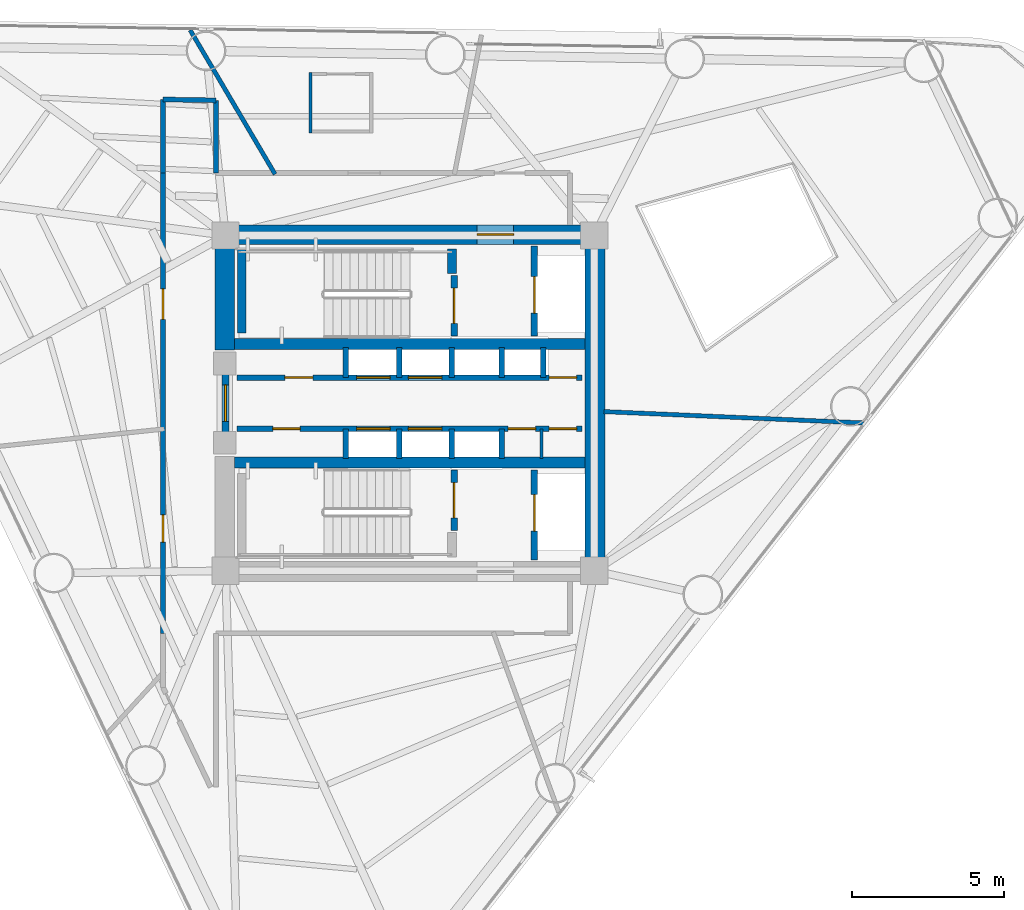
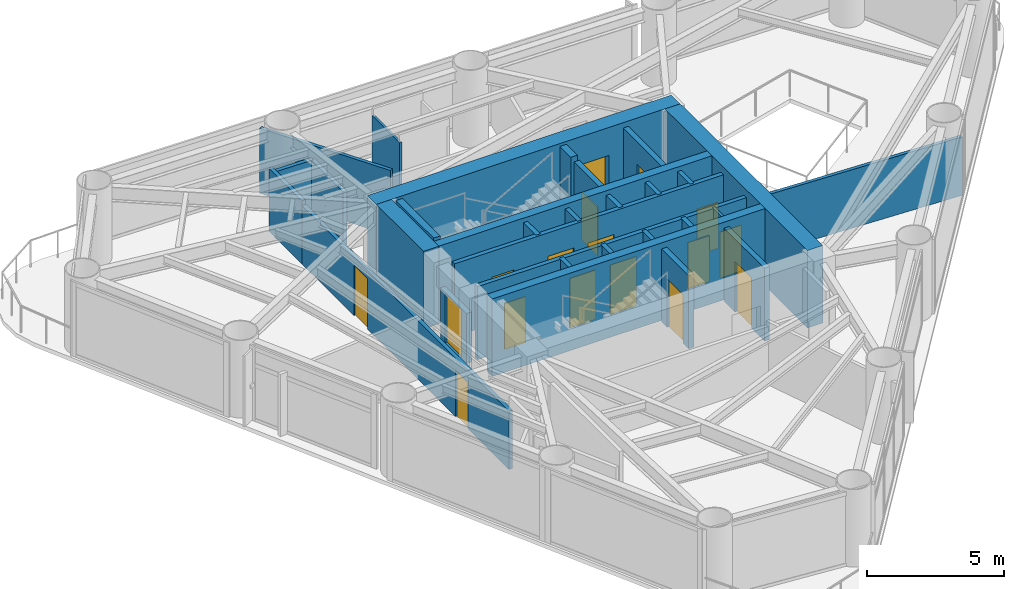
# One storey, part 6 of 10: 31 walls, 17 doors, 17 openings.
"""IFC4 building model written with IfcOpenShell, lengths in metres."""

from ifc_helpers import new_model, si_unit, direction, frame, frame_2d, origin, place, context, subcontext, project, spatial, rectangle, extrude, material, layer, layer_set, type_object, element, fill, save


model = new_model("IFC4")

# Units and contexts
model_context = context("Model", 3, precision=1e-05, world=origin(), true_north=direction((0.0, 1.0)))
body_context = subcontext(model_context, "Body", "Model", "MODEL_VIEW")
ifc_project = project(units=[si_unit("LENGTHUNIT", "METRE"), si_unit("AREAUNIT", "SQUARE_METRE"), si_unit("VOLUMEUNIT", "CUBIC_METRE"), si_unit("PLANEANGLEUNIT", "RADIAN"), si_unit("MASSUNIT", "GRAM", prefix="KILO")], contexts=[model_context])

# Site, building, storey
site_placement = place(None, origin())
site = spatial("IfcSite", under=ifc_project, at=site_placement, CompositionType="ELEMENT")
building_placement = place(site_placement, origin())
building = spatial("IfcBuilding", under=site, at=building_placement, Name="Yunling Apex Tower", CompositionType="ELEMENT")
storey_placement = place(building_placement, frame((0.0, 0.0, 132.949951171875)))
storey = spatial("IfcBuildingStorey", under=building, at=storey_placement, Name="L32", CompositionType="ELEMENT", Elevation=132.949951171875)

# Wall, opening, door
ifc_material_1 = material(Name="Concrete C50", Category="concrete")
ifc_layer_1 = layer(ifc_material_1, 0.64990234375)
ifc_layer_set_1 = layer_set([ifc_layer_1], Name="Concrete C50")
wall_type_1 = type_object("IfcWallType", Name="WL-COR-2", PredefinedType="SHEAR", material=ifc_layer_set_1)
wall_1_placement = place(storey_placement, frame((-6.39990234375, 5.52490234375, 0.0), z_axis=(0.0, 0.0, 1.0), x_axis=(1.0, 0.0, 0.0)))
wall_1 = element("IfcWall", 1, at=wall_1_placement, inside=storey, type_object=wall_type_1, Name="L32 North Core Shear Wall", PredefinedType="SHEAR", context=body_context, shape_type="SweptSolid", body=[
    extrude(rectangle(XDim=12.7998046875, YDim=0.64990234375, at=frame_2d((6.39990234375, 0.0))), origin(), (0.0, 0.0, 1.0), 3.449951171875),
])
opening_1_placement = place(wall_1_placement, frame((8.60009765625, 0.0, 0.0)))
opening_1 = element("IfcOpeningElement", 2, at=opening_1_placement, cuts=wall_1, Name="Opening DR-FFL-1", PredefinedType="OPENING", context=body_context, shape_type="SweptSolid", body=[
    extrude(rectangle(XDim=1.199951171875, YDim=2.199951171875, at=frame_2d((0.60009765625, 1.10009765625))), frame((0.0, 0.3349609375, 0.0), z_axis=(0.0, -1.0, 0.0), x_axis=(1.0, 0.0, 0.0)), (0.0, 0.0, 1.0), 0.669921875),
])
ifc_material_2 = material(Name="Steel Q355B", Category="steel")
door_type_1 = type_object("IfcDoorType", Name="DR-FFL-1", OperationType="NOTDEFINED", PredefinedType="DOOR", material=ifc_material_2)
door_1_placement = place(opening_1_placement, origin())
door_1 = element("IfcDoor", 3, at=door_1_placement, inside=storey, type_object=door_type_1, Name="L32 North Firefighting Lobby Door", OperationType="SINGLE_SWING_LEFT", OverallHeight=2.199951171875, OverallWidth=1.199951171875, PredefinedType="DOOR", context=body_context, shape_type="SweptSolid", body=[
    extrude(rectangle(XDim=1.199951171875, YDim=2.199951171875, at=frame_2d((0.60009765625, 1.10009765625))), frame((0.0, 0.02490234375, 0.0), z_axis=(0.0, -1.0, 0.0), x_axis=(1.0, 0.0, 0.0)), (0.0, 0.0, 1.0), 0.050048828125),
])
fill(opening_1, door_1)

# Walls
wall_2_placement = place(storey_placement, frame((6.074951171875, -5.199951171875, 0.0), z_axis=(0.0, 0.0, 1.0), x_axis=(0.0, 1.0, 0.0)))
element("IfcWall", 4, at=wall_2_placement, inside=storey, type_object=wall_type_1, Name="L32 East Core Shear Wall", PredefinedType="SHEAR", context=body_context, shape_type="SweptSolid", body=[
    extrude(rectangle(XDim=10.39990234375, YDim=0.64990234375, at=frame_2d((5.199951171875, 0.0))), origin(), (0.0, 0.0, 1.0), 3.449951171875),
])
wall_3_placement = place(storey_placement, frame((-6.074951171875, 1.75, 0.0), z_axis=(0.0, 0.0, 1.0), x_axis=(0.0, 1.0, 0.0)))
element("IfcWall", 5, at=wall_3_placement, inside=storey, type_object=wall_type_1, Name="L32 West-North Core Shear Wall", PredefinedType="SHEAR", context=body_context, shape_type="SweptSolid", body=[
    extrude(rectangle(XDim=3.449951171875, YDim=0.64990234375, at=frame_2d((1.72509765625, 0.0))), origin(), (0.0, 0.0, 1.0), 3.449951171875),
])
ifc_material_3 = material(Name="Concrete C40", Category="concrete")
ifc_layer_2 = layer(ifc_material_3, 0.360107421875)
ifc_layer_set_2 = layer_set([ifc_layer_2], Name="Concrete C40")
wall_type_2 = type_object("IfcWallType", Name="WL-COR-4", PredefinedType="SHEAR", material=ifc_layer_set_2)
for number, where, z_axis, x_axis, name in (
    (6, (-5.75, 1.93994140625, 0.0), (0.0, 0.0, 1.0), (1.0, 0.0, 0.0), "L32 North Internal Core Shear Wall"),
    (7, (-5.75, -1.93994140625, 0.0), (0.0, 0.0, 1.0), (1.0, 0.0, 0.0), "L32 South Internal Core Shear Wall"),
):
    element("IfcWall", number, at=place(storey_placement, frame(where, z_axis=z_axis, x_axis=x_axis)), inside=storey, type_object=wall_type_2, Name=name, PredefinedType="SHEAR", context=body_context, shape_type="SweptSolid", body=[
        extrude(rectangle(XDim=11.5, YDim=0.360107421875, at=frame_2d((5.75, 0.0))), origin(), (0.0, 0.0, 1.0), 3.449951171875),
    ])
ifc_layer_3 = layer(ifc_material_3, 0.280029296875)
ifc_layer_set_3 = layer_set([ifc_layer_3], Name="Concrete C40")
wall_type_3 = type_object("IfcWallType", Name="WL-COR-8", PredefinedType="SHEAR", material=ifc_layer_set_3)
wall_4_placement = place(storey_placement, frame((-5.52001953125, 2.300048828125, 0.0), z_axis=(0.0, 0.0, 1.0), x_axis=(0.0, 1.0, 0.0)))
element("IfcWall", 8, at=wall_4_placement, inside=storey, type_object=wall_type_3, Name="L32 ST-1 West Landing Bearing Wall", PredefinedType="SHEAR", context=body_context, shape_type="SweptSolid", body=[
    extrude(rectangle(XDim=2.75, YDim=0.280029296875, at=frame_2d((1.375, 0.0))), origin(), (0.0, 0.0, 1.0), 3.449951171875),
])
wall_5_placement = place(storey_placement, frame((1.3798828125, 4.25, 0.0), z_axis=(0.0, 0.0, 1.0), x_axis=(0.0, 1.0, 0.0)))
element("IfcWall", 9, at=wall_5_placement, inside=storey, type_object=wall_type_3, Name="L32 ST-1 East Landing Bearing Pier", PredefinedType="SHEAR", context=body_context, shape_type="SweptSolid", body=[
    extrude(rectangle(XDim=0.800048828125, YDim=0.280029296875, at=frame_2d((0.39990234375, 0.0))), origin(), (0.0, 0.0, 1.0), 3.449951171875),
])

# Wall, openings, doors
ifc_material_4 = material(Name="Gypsum board acoustic partition")
ifc_layer_4 = layer(ifc_material_4, 0.159912109375)
ifc_layer_set_4 = layer_set([ifc_layer_4], Name="Gypsum board acoustic partition")
wall_type_4 = type_object("IfcWallType", Name="WL-PRT-1", PredefinedType="PARTITIONING", material=ifc_layer_set_4)
wall_6_placement = place(storey_placement, frame((-8.10009765625, -7.550048828125, 0.0), z_axis=(0.0, 0.0, 1.0), x_axis=(0.0, 1.0, 0.0)))
wall_6 = element("IfcWall", 10, at=wall_6_placement, inside=storey, type_object=wall_type_4, Name="WL-CORR-L32-03", PredefinedType="PARTITIONING", context=body_context, shape_type="SweptSolid", body=[
    extrude(rectangle(XDim=15.10009765625, YDim=0.159912109375, at=frame_2d((7.550048828125, 0.0))), origin(), (0.0, 0.0, 1.0), 2.60498046875),
])
opening_2_placement = place(wall_6_placement, frame((2.989013671875, 0.0, 0.0)))
opening_2 = element("IfcOpeningElement", 11, at=opening_2_placement, cuts=wall_6, Name="Opening DR-SHF-1", PredefinedType="OPENING", context=body_context, shape_type="SweptSolid", body=[
    extrude(rectangle(XDim=0.89990234375, YDim=2.050048828125, at=frame_2d((0.449951171875, 1.02490234375))), frame((0.0, 0.08984375, 0.0), z_axis=(0.0, -1.0, 0.0), x_axis=(1.0, 0.0, 0.0)), (0.0, 0.0, 1.0), 0.179931640625),
])
opening_3_placement = place(wall_6_placement, frame((10.30126953125, 0.0, 0.0)))
opening_3 = element("IfcOpeningElement", 12, at=opening_3_placement, cuts=wall_6, Name="Opening DR-OFF-1", PredefinedType="OPENING", context=body_context, shape_type="SweptSolid", body=[
    extrude(rectangle(XDim=1.0, YDim=2.25, at=frame_2d((0.5, 1.125))), frame((0.0, 0.08984375, 0.0), z_axis=(0.0, -1.0, 0.0), x_axis=(1.0, 0.0, 0.0)), (0.0, 0.0, 1.0), 0.179931640625),
])
ifc_material_5 = material(Name="Bronze anodised aluminium", Category="aluminium")
door_type_2 = type_object("IfcDoorType", Name="DR-OFF-1", OperationType="NOTDEFINED", PredefinedType="DOOR", material=ifc_material_5)
door_2_placement = place(opening_3_placement, origin())
door_2 = element("IfcDoor", 13, at=door_2_placement, inside=storey, type_object=door_type_2, Name="L32 Club Lounge Door", OperationType="SINGLE_SWING_RIGHT", OverallHeight=2.25, OverallWidth=1.0, PredefinedType="DOOR", context=body_context, shape_type="SweptSolid", body=[
    extrude(rectangle(XDim=1.0, YDim=2.25, at=frame_2d((0.5, 1.125))), frame((0.0, 0.02490234375, 0.0), z_axis=(0.0, -1.0, 0.0), x_axis=(1.0, 0.0, 0.0)), (0.0, 0.0, 1.0), 0.050048828125),
])
fill(opening_3, door_2)
door_type_3 = type_object("IfcDoorType", Name="DR-SHF-1", OperationType="NOTDEFINED", PredefinedType="DOOR", material=ifc_material_2)
door_3_placement = place(opening_2_placement, origin())
door_3 = element("IfcDoor", 14, at=door_3_placement, inside=storey, type_object=door_type_3, Name="L32 Housekeeping Room Door", OperationType="SINGLE_SWING_LEFT", OverallHeight=2.050048828125, OverallWidth=0.89990234375, PredefinedType="DOOR", context=body_context, shape_type="SweptSolid", body=[
    extrude(rectangle(XDim=0.89990234375, YDim=2.050048828125, at=frame_2d((0.449951171875, 1.02490234375))), frame((0.0, 0.02490234375, 0.0), z_axis=(0.0, -1.0, 0.0), x_axis=(1.0, 0.0, 0.0)), (0.0, 0.0, 1.0), 0.050048828125),
])
fill(opening_2, door_3)

# Walls
wall_7_placement = place(storey_placement, frame((-8.10009765625, 7.550048828125, 0.0), z_axis=(0.0, 0.0, 1.0), x_axis=(0.0, 1.0, 0.0)))
element("IfcWall", 15, at=wall_7_placement, inside=storey, type_object=wall_type_4, Name="WL-CORR-L32-04", PredefinedType="PARTITIONING", context=body_context, shape_type="SweptSolid", body=[
    extrude(rectangle(XDim=2.411865234375, YDim=0.159912109375, at=frame_2d((1.2060546875, 0.0))), origin(), (0.0, 0.0, 1.0), 2.804931640625),
])
wall_8_placement = place(storey_placement, frame((-8.10009765625, 9.9619140625, 0.0), z_axis=(0.0, 0.0, 1.0), x_axis=(0.999858281466, -0.016834992813, 0.0)))
element("IfcWall", 16, at=wall_8_placement, inside=storey, type_object=wall_type_4, Name="WL-CORR-L32-05", PredefinedType="PARTITIONING", context=body_context, shape_type="SweptSolid", body=[
    extrude(rectangle(XDim=1.740234375, YDim=0.159912109375, at=frame_2d((0.8701171875, 0.0))), origin(), (0.0, 0.0, 1.0), 2.60498046875),
])
wall_9_placement = place(storey_placement, frame((-6.360107421875, 9.9326171875, 0.0), z_axis=(0.0, 0.0, 1.0), x_axis=(0.0, -1.0, 0.0)))
element("IfcWall", 17, at=wall_9_placement, inside=storey, type_object=wall_type_4, Name="WL-CORR-L32-06", PredefinedType="PARTITIONING", context=body_context, shape_type="SweptSolid", body=[
    extrude(rectangle(XDim=2.382568359375, YDim=0.159912109375, at=frame_2d((1.19140625, 0.0))), origin(), (0.0, 0.0, 1.0), 2.60498046875),
])
ifc_layer_5 = layer(ifc_material_4, 0.139892578125)
ifc_layer_set_5 = layer_set([ifc_layer_5], Name="Gypsum board acoustic partition")
wall_type_5 = type_object("IfcWallType", Name="WL-PRT-2", PredefinedType="PARTITIONING", material=ifc_layer_set_5)
wall_10_placement = place(storey_placement, frame((6.360107421875, -0.277587890625, 0.0), z_axis=(0.0, 0.0, 1.0), x_axis=(0.999047707238, -0.043631166178, 0.0)))
element("IfcWall", 18, at=wall_10_placement, inside=storey, type_object=wall_type_5, Name="WL-RAD-L32-01", PredefinedType="PARTITIONING", context=body_context, shape_type="SweptSolid", body=[
    extrude(rectangle(XDim=8.52197265625, YDim=0.139892578125, at=frame_2d((4.260986328125, 0.0))), origin(), (0.0, 0.0, 1.0), 2.60498046875),
])
wall_11_placement = place(storey_placement, frame((-4.423583984375, 7.510009765625, 0.0), z_axis=(0.0, 0.0, 1.0), x_axis=(-0.507548978892, 0.861622907092, 0.0)))
element("IfcWall", 19, at=wall_11_placement, inside=storey, type_object=wall_type_5, Name="WL-RAD-L32-03", PredefinedType="PARTITIONING", context=body_context, shape_type="SweptSolid", body=[
    extrude(rectangle(XDim=5.486572265625, YDim=0.139892578125, at=frame_2d((2.7431640625, 0.0))), origin(), (0.0, 0.0, 1.0), 2.905029296875),
])
ifc_layer_6 = layer(ifc_material_4, 0.10009765625)
ifc_layer_set_6 = layer_set([ifc_layer_6], Name="Gypsum board acoustic partition")
wall_type_6 = type_object("IfcWallType", Name="WL-PRT-4", PredefinedType="PARTITIONING", material=ifc_layer_set_6)
wall_12_placement = place(storey_placement, frame((4.31005859375, -1.820068359375, 0.0), z_axis=(0.0, 0.0, 1.0), x_axis=(0.0, 1.0, 0.0)))
element("IfcWall", 20, at=wall_12_placement, inside=storey, type_object=wall_type_6, Name="WL-KCDIV-L32", PredefinedType="PARTITIONING", context=body_context, shape_type="SweptSolid", body=[
    extrude(rectangle(XDim=0.97998046875, YDim=0.10009765625, at=frame_2d((0.489990234375, 0.0))), origin(), (0.0, 0.0, 1.0), 3.25),
])
wall_13_placement = place(storey_placement, frame((-3.26806640625, 8.85498046875, 0.0), z_axis=(0.0, 0.0, 1.0), x_axis=(0.0, 1.0, 0.0)))
element("IfcWall", 21, at=wall_13_placement, inside=storey, type_object=wall_type_6, Name="WL-ENS-L32-5W", PredefinedType="PARTITIONING", context=body_context, shape_type="SweptSolid", body=[
    extrude(rectangle(XDim=2.0, YDim=0.10009765625, at=frame_2d((1.0, 0.0))), origin(), (0.0, 0.0, 1.0), 2.905029296875),
])

# Wall, opening, door
ifc_material_6 = material(Name="Autoclaved aerated concrete masonry", Category="masonry")
ifc_layer_7 = layer(ifc_material_6, 0.219970703125)
ifc_layer_set_7 = layer_set([ifc_layer_7], Name="Autoclaved aerated concrete masonry")
wall_type_7 = type_object("IfcWallType", Name="WL-SHF-1", PredefinedType="PLUMBINGWALL", material=ifc_layer_set_7)
wall_14_placement = place(storey_placement, frame((-6.050048828125, -0.949951171875, 0.0), z_axis=(0.0, 0.0, 1.0), x_axis=(0.0, 1.0, 0.0)))
wall_14 = element("IfcWall", 22, at=wall_14_placement, inside=storey, type_object=wall_type_7, Name="WL-COR-WPORT-L32", PredefinedType="PLUMBINGWALL", context=body_context, shape_type="SweptSolid", body=[
    extrude(rectangle(XDim=1.89990234375, YDim=0.219970703125, at=frame_2d((0.949951171875, 0.0))), origin(), (0.0, 0.0, 1.0), 2.22998046875),
])
opening_4_placement = place(wall_14_placement, frame((0.35009765625, 0.0, 0.0)))
opening_4 = element("IfcOpeningElement", 23, at=opening_4_placement, cuts=wall_14, Name="Opening DR-FFL-1", PredefinedType="OPENING", context=body_context, shape_type="SweptSolid", body=[
    extrude(rectangle(XDim=1.199951171875, YDim=2.199951171875, at=frame_2d((0.60009765625, 1.10009765625))), frame((0.0, 0.1201171875, 0.0), z_axis=(0.0, -1.0, 0.0), x_axis=(1.0, 0.0, 0.0)), (0.0, 0.0, 1.0), 0.239990234375),
])
door_4_placement = place(opening_4_placement, origin())
door_4 = element("IfcDoor", 24, at=door_4_placement, inside=storey, type_object=door_type_1, Name="L32 Passenger Lift Lobby Entrance Door", OperationType="SINGLE_SWING_LEFT", OverallHeight=2.199951171875, OverallWidth=1.199951171875, PredefinedType="DOOR", context=body_context, shape_type="SweptSolid", body=[
    extrude(rectangle(XDim=1.199951171875, YDim=2.199951171875, at=frame_2d((0.60009765625, 1.10009765625))), frame((0.0, 0.02490234375, 0.0), z_axis=(0.0, -1.0, 0.0), x_axis=(1.0, 0.0, 0.0)), (0.0, 0.0, 1.0), 0.050048828125),
])
fill(opening_4, door_4)

wall_15_placement = place(storey_placement, frame((1.449951171875, 2.199951171875, 0.0), z_axis=(0.0, 0.0, 1.0), x_axis=(0.0, 1.0, 0.0)))
wall_15 = element("IfcWall", 25, at=wall_15_placement, inside=storey, type_object=wall_type_7, Name="WL-ST1-E-L32", PredefinedType="PLUMBINGWALL", context=body_context, shape_type="SweptSolid", body=[
    extrude(rectangle(XDim=1.97998046875, YDim=0.219970703125, at=frame_2d((0.989990234375, 0.0))), origin(), (0.0, 0.0, 1.0), 3.25),
])
opening_5_placement = place(wall_15_placement, frame((0.419921875, 0.0, 0.0)))
opening_5 = element("IfcOpeningElement", 26, at=opening_5_placement, cuts=wall_15, Name="Opening DR-ST-1", PredefinedType="OPENING", context=body_context, shape_type="SweptSolid", body=[
    extrude(rectangle(XDim=1.14990234375, YDim=2.14990234375, at=frame_2d((0.574951171875, 1.074951171875))), frame((0.0, 0.1201171875, 0.0), z_axis=(0.0, -1.0, 0.0), x_axis=(1.0, 0.0, 0.0)), (0.0, 0.0, 1.0), 0.239990234375),
])
door_type_4 = type_object("IfcDoorType", Name="DR-ST-1", OperationType="NOTDEFINED", PredefinedType="DOOR", material=ifc_material_2)
door_5_placement = place(opening_5_placement, origin())
door_5 = element("IfcDoor", 27, at=door_5_placement, inside=storey, type_object=door_type_4, Name="L32 Stair ST-1 Fire Door", OperationType="SINGLE_SWING_RIGHT", OverallHeight=2.14990234375, OverallWidth=1.14990234375, PredefinedType="DOOR", context=body_context, shape_type="SweptSolid", body=[
    extrude(rectangle(XDim=1.14990234375, YDim=2.14990234375, at=frame_2d((0.574951171875, 1.074951171875))), frame((0.0, 0.02490234375, 0.0), z_axis=(0.0, -1.0, 0.0), x_axis=(1.0, 0.0, 0.0)), (0.0, 0.0, 1.0), 0.050048828125),
])
fill(opening_5, door_5)

wall_16_placement = place(storey_placement, frame((4.080078125, 2.199951171875, 0.0), z_axis=(0.0, 0.0, 1.0), x_axis=(0.0, 1.0, 0.0)))
wall_16 = element("IfcWall", 28, at=wall_16_placement, inside=storey, type_object=wall_type_7, Name="WL-FFL1-W-L32", PredefinedType="PLUMBINGWALL", context=body_context, shape_type="SweptSolid", body=[
    extrude(rectangle(XDim=2.949951171875, YDim=0.219970703125, at=frame_2d((1.47509765625, 0.0))), origin(), (0.0, 0.0, 1.0), 3.25),
])
opening_6_placement = place(wall_16_placement, frame((0.75, 0.0, 0.0)))
opening_6 = element("IfcOpeningElement", 29, at=opening_6_placement, cuts=wall_16, Name="Opening LD-FFL-1", PredefinedType="OPENING", context=body_context, shape_type="SweptSolid", body=[
    extrude(rectangle(XDim=1.199951171875, YDim=2.25, at=frame_2d((0.60009765625, 1.125))), frame((0.0, 0.1201171875, 0.0), z_axis=(0.0, -1.0, 0.0), x_axis=(1.0, 0.0, 0.0)), (0.0, 0.0, 1.0), 0.239990234375),
])
door_type_5 = type_object("IfcDoorType", Name="LD-FFL-1", OperationType="DOUBLE_DOOR_SLIDING", PredefinedType="DOOR", material=ifc_material_2)
door_6_placement = place(opening_6_placement, origin())
door_6 = element("IfcDoor", 30, at=door_6_placement, inside=storey, type_object=door_type_5, Name="L32 Lift FFL-1 Landing Door", OperationType="DOUBLE_DOOR_SLIDING", OverallHeight=2.25, OverallWidth=1.199951171875, PredefinedType="DOOR", context=body_context, shape_type="SweptSolid", body=[
    extrude(rectangle(XDim=1.199951171875, YDim=2.25, at=frame_2d((0.60009765625, 1.125))), frame((0.0, 0.02490234375, 0.0), z_axis=(0.0, -1.0, 0.0), x_axis=(1.0, 0.0, 0.0)), (0.0, 0.0, 1.0), 0.050048828125),
])
fill(opening_6, door_6)

wall_17_placement = place(storey_placement, frame((1.449951171875, -4.179931640625, 0.0), z_axis=(0.0, 0.0, 1.0), x_axis=(0.0, 1.0, 0.0)))
wall_17 = element("IfcWall", 31, at=wall_17_placement, inside=storey, type_object=wall_type_7, Name="WL-ST2-E-L32", PredefinedType="PLUMBINGWALL", context=body_context, shape_type="SweptSolid", body=[
    extrude(rectangle(XDim=1.97998046875, YDim=0.219970703125, at=frame_2d((0.989990234375, 0.0))), origin(), (0.0, 0.0, 1.0), 3.25),
])
opening_7_placement = place(wall_17_placement, frame((0.419921875, 0.0, 0.0)))
opening_7 = element("IfcOpeningElement", 32, at=opening_7_placement, cuts=wall_17, Name="Opening DR-ST-1", PredefinedType="OPENING", context=body_context, shape_type="SweptSolid", body=[
    extrude(rectangle(XDim=1.14990234375, YDim=2.14990234375, at=frame_2d((0.574951171875, 1.074951171875))), frame((0.0, 0.1201171875, 0.0), z_axis=(0.0, -1.0, 0.0), x_axis=(1.0, 0.0, 0.0)), (0.0, 0.0, 1.0), 0.239990234375),
])
door_7_placement = place(opening_7_placement, origin())
door_7 = element("IfcDoor", 33, at=door_7_placement, inside=storey, type_object=door_type_4, Name="L32 Stair ST-2 Fire Door", OperationType="SINGLE_SWING_LEFT", OverallHeight=2.14990234375, OverallWidth=1.14990234375, PredefinedType="DOOR", context=body_context, shape_type="SweptSolid", body=[
    extrude(rectangle(XDim=1.14990234375, YDim=2.14990234375, at=frame_2d((0.574951171875, 1.074951171875))), frame((0.0, 0.02490234375, 0.0), z_axis=(0.0, -1.0, 0.0), x_axis=(1.0, 0.0, 0.0)), (0.0, 0.0, 1.0), 0.050048828125),
])
fill(opening_7, door_7)

wall_18_placement = place(storey_placement, frame((4.080078125, -5.14990234375, 0.0), z_axis=(0.0, 0.0, 1.0), x_axis=(0.0, 1.0, 0.0)))
wall_18 = element("IfcWall", 34, at=wall_18_placement, inside=storey, type_object=wall_type_7, Name="WL-FFL2-W-L32", PredefinedType="PLUMBINGWALL", context=body_context, shape_type="SweptSolid", body=[
    extrude(rectangle(XDim=2.949951171875, YDim=0.219970703125, at=frame_2d((1.47509765625, 0.0))), origin(), (0.0, 0.0, 1.0), 3.25),
])
opening_8_placement = place(wall_18_placement, frame((0.949951171875, 0.0, 0.0)))
opening_8 = element("IfcOpeningElement", 35, at=opening_8_placement, cuts=wall_18, Name="Opening LD-FFL-1", PredefinedType="OPENING", context=body_context, shape_type="SweptSolid", body=[
    extrude(rectangle(XDim=1.199951171875, YDim=2.25, at=frame_2d((0.60009765625, 1.125))), frame((0.0, 0.1201171875, 0.0), z_axis=(0.0, -1.0, 0.0), x_axis=(1.0, 0.0, 0.0)), (0.0, 0.0, 1.0), 0.239990234375),
])
door_8_placement = place(opening_8_placement, origin())
door_8 = element("IfcDoor", 36, at=door_8_placement, inside=storey, type_object=door_type_5, Name="L32 Lift FFL-2 Landing Door", OperationType="DOUBLE_DOOR_SLIDING", OverallHeight=2.25, OverallWidth=1.199951171875, PredefinedType="DOOR", context=body_context, shape_type="SweptSolid", body=[
    extrude(rectangle(XDim=1.199951171875, YDim=2.25, at=frame_2d((0.60009765625, 1.125))), frame((0.0, 0.02490234375, 0.0), z_axis=(0.0, -1.0, 0.0), x_axis=(1.0, 0.0, 0.0)), (0.0, 0.0, 1.0), 0.050048828125),
])
fill(opening_8, door_8)

# Walls
ifc_layer_8 = layer(ifc_material_6, 0.179931640625)
ifc_layer_set_8 = layer_set([ifc_layer_8], Name="Autoclaved aerated concrete masonry")
wall_type_8 = type_object("IfcWallType", Name="WL-SHF-2", PredefinedType="PLUMBINGWALL", material=ifc_layer_set_8)
for number, where, z_axis, x_axis, name in (
    (37, (-2.10009765625, 0.840087890625, 0.0), (0.0, 0.0, 1.0), (0.0, 1.0, 0.0), "WL-BNK-LM-N-L32"),
    (38, (-2.10009765625, -1.820068359375, 0.0), (0.0, 0.0, 1.0), (0.0, 1.0, 0.0), "WL-BNK-LM-S-L32"),
    (39, (-0.35009765625, 0.840087890625, 0.0), (0.0, 0.0, 1.0), (0.0, 1.0, 0.0), "WL-DIV-M12-L32"),
    (40, (-0.35009765625, -1.820068359375, 0.0), (0.0, 0.0, 1.0), (0.0, 1.0, 0.0), "WL-DIV-M34-L32"),
    (41, (1.3798828125, 0.840087890625, 0.0), (0.0, 0.0, 1.0), (0.0, 1.0, 0.0), "WL-BNK-MH-N-L32"),
    (42, (1.3798828125, -1.820068359375, 0.0), (0.0, 0.0, 1.0), (0.0, 1.0, 0.0), "WL-BNK-MH-S-L32"),
    (43, (3.02001953125, 0.840087890625, 0.0), (0.0, 0.0, 1.0), (0.0, 1.0, 0.0), "WL-DIV-H13-L32"),
    (44, (4.3798828125, 0.840087890625, 0.0), (0.0, 0.0, 1.0), (0.0, 1.0, 0.0), "WL-END-H3E-L32"),
    (45, (3.02001953125, -1.820068359375, 0.0), (0.0, 0.0, 1.0), (0.0, 1.0, 0.0), "WL-END-H2E-L32"),
):
    element("IfcWall", number, at=place(storey_placement, frame(where, z_axis=z_axis, x_axis=x_axis)), inside=storey, type_object=wall_type_8, Name=name, PredefinedType="PLUMBINGWALL", context=body_context, shape_type="SweptSolid", body=[
        extrude(rectangle(XDim=0.97998046875, YDim=0.179931640625, at=frame_2d((0.489990234375, 0.0))), origin(), (0.0, 0.0, 1.0), 3.25),
    ])

# Wall, openings, doors
wall_19_placement = place(storey_placement, frame((-5.679931640625, 0.840087890625, 0.0), z_axis=(0.0, 0.0, 1.0), x_axis=(1.0, 0.0, 0.0)))
wall_19 = element("IfcWall", 46, at=wall_19_placement, inside=storey, type_object=wall_type_8, Name="WL-LOB-N-L32", PredefinedType="PLUMBINGWALL", context=body_context, shape_type="SweptSolid", body=[
    extrude(rectangle(XDim=11.329833984375, YDim=0.179931640625, at=frame_2d((5.6650390625, 0.0))), origin(), (0.0, 0.0, 1.0), 3.25),
])
opening_9_placement = place(wall_19_placement, frame((1.580078125, 0.0, 0.0)))
opening_9 = element("IfcOpeningElement", 47, at=opening_9_placement, cuts=wall_19, Name="Opening DR-WC-1", PredefinedType="OPENING", context=body_context, shape_type="SweptSolid", body=[
    extrude(rectangle(XDim=0.919921875, YDim=2.10009765625, at=frame_2d((0.4599609375, 1.050048828125))), frame((0.0, 0.10009765625, 0.0), z_axis=(0.0, -1.0, 0.0), x_axis=(1.0, 0.0, 0.0)), (0.0, 0.0, 1.0), 0.199951171875),
])
opening_10_placement = place(wall_19_placement, frame((3.929931640625, 0.0, 0.0)))
opening_10 = element("IfcOpeningElement", 48, at=opening_10_placement, cuts=wall_19, Name="Opening LD-PAS-1", PredefinedType="OPENING", context=body_context, shape_type="SweptSolid", body=[
    extrude(rectangle(XDim=1.10009765625, YDim=2.199951171875, at=frame_2d((0.550048828125, 1.10009765625))), frame((0.0, 0.10009765625, 0.0), z_axis=(0.0, -1.0, 0.0), x_axis=(1.0, 0.0, 0.0)), (0.0, 0.0, 1.0), 0.199951171875),
])
opening_11_placement = place(wall_19_placement, frame((5.6298828125, 0.0, 0.0)))
opening_11 = element("IfcOpeningElement", 49, at=opening_11_placement, cuts=wall_19, Name="Opening LD-PAS-1", PredefinedType="OPENING", context=body_context, shape_type="SweptSolid", body=[
    extrude(rectangle(XDim=1.10009765625, YDim=2.199951171875, at=frame_2d((0.550048828125, 1.10009765625))), frame((0.0, 0.10009765625, 0.0), z_axis=(0.0, -1.0, 0.0), x_axis=(1.0, 0.0, 0.0)), (0.0, 0.0, 1.0), 0.199951171875),
])
opening_12_placement = place(wall_19_placement, frame((10.25, 0.0, 0.0)))
opening_12 = element("IfcOpeningElement", 50, at=opening_12_placement, cuts=wall_19, Name="Opening DR-SHF-1", PredefinedType="OPENING", context=body_context, shape_type="SweptSolid", body=[
    extrude(rectangle(XDim=0.89990234375, YDim=2.050048828125, at=frame_2d((0.449951171875, 1.02490234375))), frame((0.0, 0.10009765625, 0.0), z_axis=(0.0, -1.0, 0.0), x_axis=(1.0, 0.0, 0.0)), (0.0, 0.0, 1.0), 0.199951171875),
])
door_9_placement = place(opening_12_placement, origin())
door_9 = element("IfcDoor", 51, at=door_9_placement, inside=storey, type_object=door_type_3, Name="L32 Floor Supply Store Door", OperationType="SINGLE_SWING_LEFT", OverallHeight=2.050048828125, OverallWidth=0.89990234375, PredefinedType="DOOR", context=body_context, shape_type="SweptSolid", body=[
    extrude(rectangle(XDim=0.89990234375, YDim=2.050048828125, at=frame_2d((0.449951171875, 1.02490234375))), frame((0.0, 0.02490234375, 0.0), z_axis=(0.0, -1.0, 0.0), x_axis=(1.0, 0.0, 0.0)), (0.0, 0.0, 1.0), 0.050048828125),
])
fill(opening_12, door_9)
ifc_material_7 = material(Name="Timber moisture-resistant leaf", Category="wood")
door_type_6 = type_object("IfcDoorType", Name="DR-WC-1", OperationType="NOTDEFINED", PredefinedType="DOOR", material=ifc_material_7)
door_10_placement = place(opening_9_placement, origin())
door_10 = element("IfcDoor", 52, at=door_10_placement, inside=storey, type_object=door_type_6, Name="L32 Floor Staff WC Door", OperationType="SINGLE_SWING_RIGHT", OverallHeight=2.10009765625, OverallWidth=0.919921875, PredefinedType="DOOR", context=body_context, shape_type="SweptSolid", body=[
    extrude(rectangle(XDim=0.919921875, YDim=2.10009765625, at=frame_2d((0.4599609375, 1.050048828125))), frame((0.0, 0.02490234375, 0.0), z_axis=(0.0, -1.0, 0.0), x_axis=(1.0, 0.0, 0.0)), (0.0, 0.0, 1.0), 0.050048828125),
])
fill(opening_9, door_10)
ifc_material_8 = material(Name="Silver anodised aluminium", Category="aluminium")
door_type_7 = type_object("IfcDoorType", Name="LD-PAS-1", OperationType="DOUBLE_DOOR_SLIDING", PredefinedType="DOOR", material=ifc_material_8)
door_11_placement = place(opening_10_placement, origin())
door_11 = element("IfcDoor", 53, at=door_11_placement, inside=storey, type_object=door_type_7, Name="L32 Lift PL-M1 Landing Door", OperationType="DOUBLE_DOOR_SLIDING", OverallHeight=2.199951171875, OverallWidth=1.10009765625, PredefinedType="DOOR", context=body_context, shape_type="SweptSolid", body=[
    extrude(rectangle(XDim=1.10009765625, YDim=2.199951171875, at=frame_2d((0.550048828125, 1.10009765625))), frame((0.0, 0.02490234375, 0.0), z_axis=(0.0, -1.0, 0.0), x_axis=(1.0, 0.0, 0.0)), (0.0, 0.0, 1.0), 0.050048828125),
])
fill(opening_10, door_11)
door_12_placement = place(opening_11_placement, origin())
door_12 = element("IfcDoor", 54, at=door_12_placement, inside=storey, type_object=door_type_7, Name="L32 Lift PL-M2 Landing Door", OperationType="DOUBLE_DOOR_SLIDING", OverallHeight=2.199951171875, OverallWidth=1.10009765625, PredefinedType="DOOR", context=body_context, shape_type="SweptSolid", body=[
    extrude(rectangle(XDim=1.10009765625, YDim=2.199951171875, at=frame_2d((0.550048828125, 1.10009765625))), frame((0.0, 0.02490234375, 0.0), z_axis=(0.0, -1.0, 0.0), x_axis=(1.0, 0.0, 0.0)), (0.0, 0.0, 1.0), 0.050048828125),
])
fill(opening_11, door_12)

wall_20_placement = place(storey_placement, frame((-5.679931640625, -0.840087890625, 0.0), z_axis=(0.0, 0.0, 1.0), x_axis=(1.0, 0.0, 0.0)))
wall_20 = element("IfcWall", 55, at=wall_20_placement, inside=storey, type_object=wall_type_8, Name="WL-LOB-S-L32", PredefinedType="PLUMBINGWALL", context=body_context, shape_type="SweptSolid", body=[
    extrude(rectangle(XDim=11.329833984375, YDim=0.179931640625, at=frame_2d((5.6650390625, 0.0))), origin(), (0.0, 0.0, 1.0), 3.25),
])
opening_13_placement = place(wall_20_placement, frame((1.179931640625, 0.0, 0.0)))
opening_13 = element("IfcOpeningElement", 56, at=opening_13_placement, cuts=wall_20, Name="Opening DR-SHF-1", PredefinedType="OPENING", context=body_context, shape_type="SweptSolid", body=[
    extrude(rectangle(XDim=0.89990234375, YDim=2.050048828125, at=frame_2d((0.449951171875, 1.02490234375))), frame((0.0, 0.10009765625, 0.0), z_axis=(0.0, -1.0, 0.0), x_axis=(1.0, 0.0, 0.0)), (0.0, 0.0, 1.0), 0.199951171875),
])
opening_14_placement = place(wall_20_placement, frame((3.929931640625, 0.0, 0.0)))
opening_14 = element("IfcOpeningElement", 57, at=opening_14_placement, cuts=wall_20, Name="Opening LD-PAS-1", PredefinedType="OPENING", context=body_context, shape_type="SweptSolid", body=[
    extrude(rectangle(XDim=1.10009765625, YDim=2.199951171875, at=frame_2d((0.550048828125, 1.10009765625))), frame((0.0, 0.10009765625, 0.0), z_axis=(0.0, -1.0, 0.0), x_axis=(1.0, 0.0, 0.0)), (0.0, 0.0, 1.0), 0.199951171875),
])
opening_15_placement = place(wall_20_placement, frame((5.6298828125, 0.0, 0.0)))
opening_15 = element("IfcOpeningElement", 58, at=opening_15_placement, cuts=wall_20, Name="Opening LD-PAS-1", PredefinedType="OPENING", context=body_context, shape_type="SweptSolid", body=[
    extrude(rectangle(XDim=1.10009765625, YDim=2.199951171875, at=frame_2d((0.550048828125, 1.10009765625))), frame((0.0, 0.10009765625, 0.0), z_axis=(0.0, -1.0, 0.0), x_axis=(1.0, 0.0, 0.0)), (0.0, 0.0, 1.0), 0.199951171875),
])
opening_16_placement = place(wall_20_placement, frame((8.89990234375, 0.0, 0.0)))
opening_16 = element("IfcOpeningElement", 59, at=opening_16_placement, cuts=wall_20, Name="Opening DR-SHF-1", PredefinedType="OPENING", context=body_context, shape_type="SweptSolid", body=[
    extrude(rectangle(XDim=0.89990234375, YDim=2.050048828125, at=frame_2d((0.449951171875, 1.02490234375))), frame((0.0, 0.10009765625, 0.0), z_axis=(0.0, -1.0, 0.0), x_axis=(1.0, 0.0, 0.0)), (0.0, 0.0, 1.0), 0.199951171875),
])
opening_17_placement = place(wall_20_placement, frame((10.25, 0.0, 0.0)))
opening_17 = element("IfcOpeningElement", 60, at=opening_17_placement, cuts=wall_20, Name="Opening DR-SHF-1", PredefinedType="OPENING", context=body_context, shape_type="SweptSolid", body=[
    extrude(rectangle(XDim=0.89990234375, YDim=2.050048828125, at=frame_2d((0.449951171875, 1.02490234375))), frame((0.0, 0.10009765625, 0.0), z_axis=(0.0, -1.0, 0.0), x_axis=(1.0, 0.0, 0.0)), (0.0, 0.0, 1.0), 0.199951171875),
])
door_13_placement = place(opening_13_placement, origin())
door_13 = element("IfcDoor", 61, at=door_13_placement, inside=storey, type_object=door_type_3, Name="L32 Archive Store Door", OperationType="SINGLE_SWING_RIGHT", OverallHeight=2.050048828125, OverallWidth=0.89990234375, PredefinedType="DOOR", context=body_context, shape_type="SweptSolid", body=[
    extrude(rectangle(XDim=0.89990234375, YDim=2.050048828125, at=frame_2d((0.449951171875, 1.02490234375))), frame((0.0, 0.02490234375, 0.0), z_axis=(0.0, -1.0, 0.0), x_axis=(1.0, 0.0, 0.0)), (0.0, 0.0, 1.0), 0.050048828125),
])
fill(opening_13, door_13)
door_14_placement = place(opening_16_placement, origin())
door_14 = element("IfcDoor", 62, at=door_14_placement, inside=storey, type_object=door_type_3, Name="L32 LV Closet Door", OperationType="SINGLE_SWING_LEFT", OverallHeight=2.050048828125, OverallWidth=0.89990234375, PredefinedType="DOOR", context=body_context, shape_type="SweptSolid", body=[
    extrude(rectangle(XDim=0.89990234375, YDim=2.050048828125, at=frame_2d((0.449951171875, 1.02490234375))), frame((0.0, 0.02490234375, 0.0), z_axis=(0.0, -1.0, 0.0), x_axis=(1.0, 0.0, 0.0)), (0.0, 0.0, 1.0), 0.050048828125),
])
fill(opening_16, door_14)
door_15_placement = place(opening_17_placement, origin())
door_15 = element("IfcDoor", 63, at=door_15_placement, inside=storey, type_object=door_type_3, Name="L32 Standpipe Closet Door", OperationType="SINGLE_SWING_RIGHT", OverallHeight=2.050048828125, OverallWidth=0.89990234375, PredefinedType="DOOR", context=body_context, shape_type="SweptSolid", body=[
    extrude(rectangle(XDim=0.89990234375, YDim=2.050048828125, at=frame_2d((0.449951171875, 1.02490234375))), frame((0.0, 0.02490234375, 0.0), z_axis=(0.0, -1.0, 0.0), x_axis=(1.0, 0.0, 0.0)), (0.0, 0.0, 1.0), 0.050048828125),
])
fill(opening_17, door_15)
door_16_placement = place(opening_14_placement, origin())
door_16 = element("IfcDoor", 64, at=door_16_placement, inside=storey, type_object=door_type_7, Name="L32 Lift PL-M3 Landing Door", OperationType="DOUBLE_DOOR_SLIDING", OverallHeight=2.199951171875, OverallWidth=1.10009765625, PredefinedType="DOOR", context=body_context, shape_type="SweptSolid", body=[
    extrude(rectangle(XDim=1.10009765625, YDim=2.199951171875, at=frame_2d((0.550048828125, 1.10009765625))), frame((0.0, 0.02490234375, 0.0), z_axis=(0.0, -1.0, 0.0), x_axis=(1.0, 0.0, 0.0)), (0.0, 0.0, 1.0), 0.050048828125),
])
fill(opening_14, door_16)
door_17_placement = place(opening_15_placement, origin())
door_17 = element("IfcDoor", 65, at=door_17_placement, inside=storey, type_object=door_type_7, Name="L32 Lift PL-M4 Landing Door", OperationType="DOUBLE_DOOR_SLIDING", OverallHeight=2.199951171875, OverallWidth=1.10009765625, PredefinedType="DOOR", context=body_context, shape_type="SweptSolid", body=[
    extrude(rectangle(XDim=1.10009765625, YDim=2.199951171875, at=frame_2d((0.550048828125, 1.10009765625))), frame((0.0, 0.02490234375, 0.0), z_axis=(0.0, -1.0, 0.0), x_axis=(1.0, 0.0, 0.0)), (0.0, 0.0, 1.0), 0.050048828125),
])
fill(opening_15, door_17)

save(model, "model.ifc")
